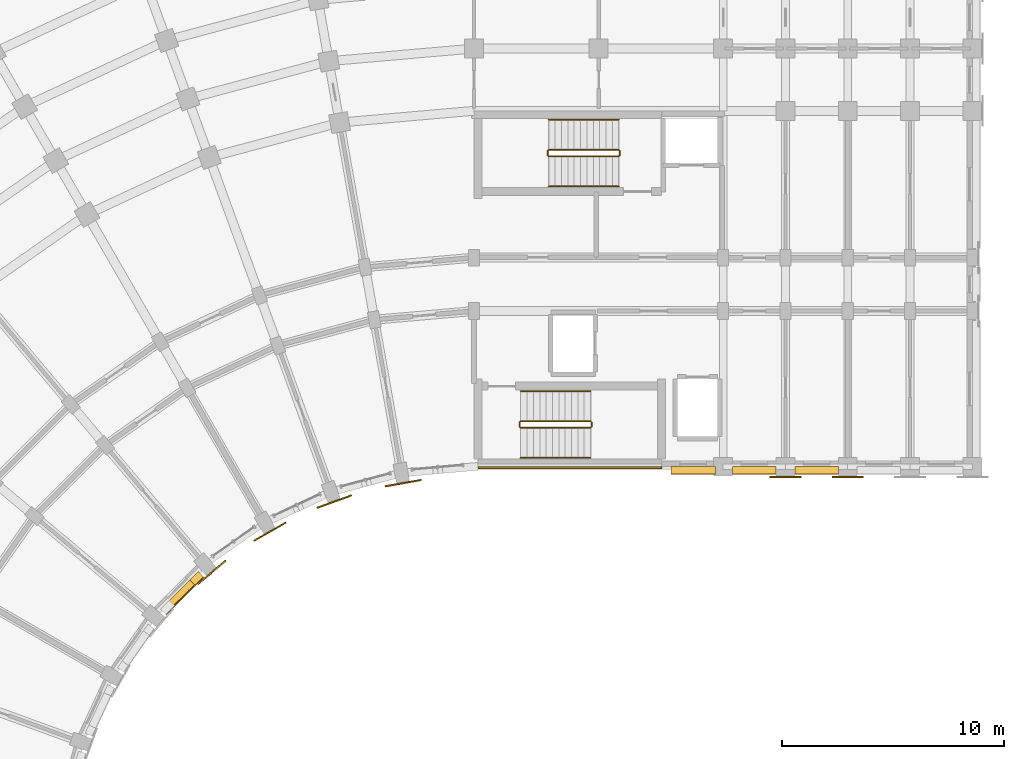
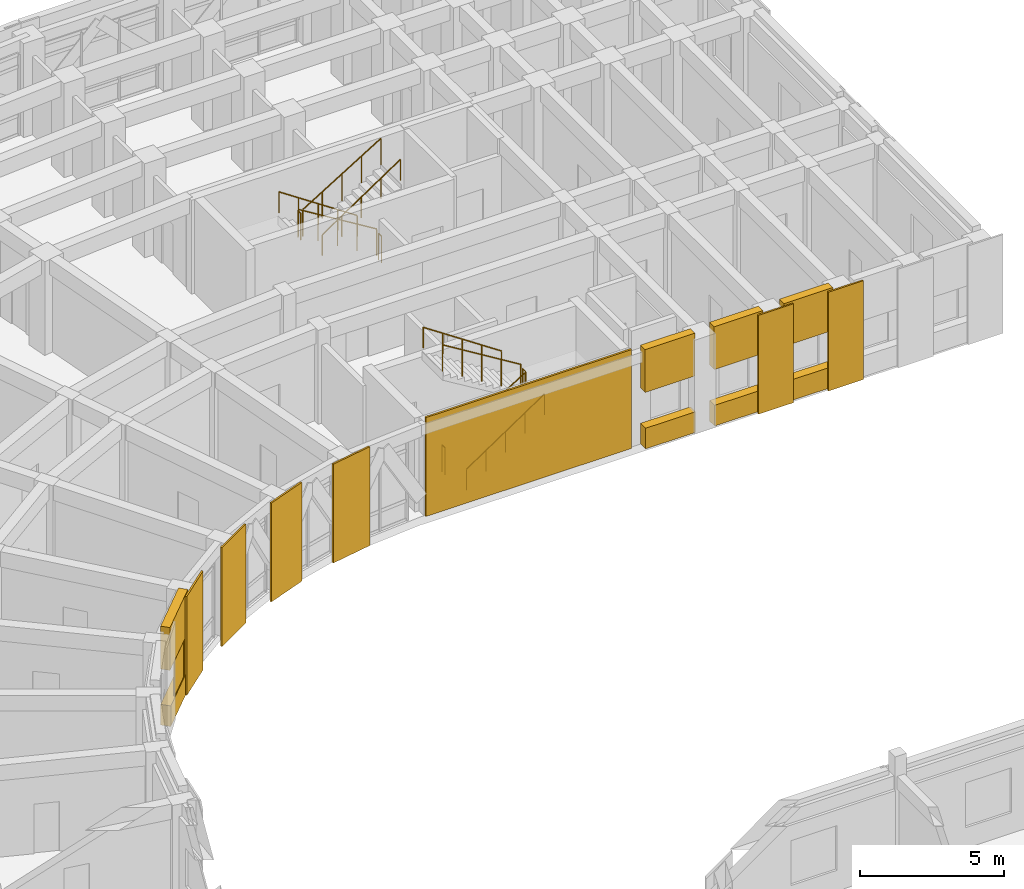
# One storey, part 91 of 97: 16 coverings, 12 railings, 1 shading device.
"""IFC4 building model written with IfcOpenShell, lengths in metres."""

import ifcopenshell
import ifcopenshell.guid

model = None  # the IFC model being written
_history = None  # IfcOwnerHistory: only IFC2X3 demands one
_inside = {}  # id of a spatial element -> (the spatial element, [elements in it])
_under = {}  # id of a project, library or spatial element -> (it, [spatial elements below it])
_declared = {}  # id of a project -> (the project, [libraries it declares])
_typed = {}  # id of a type object -> (the type object, [elements of that type])
_made_of = {}  # id of a material, layer set ... -> (it, [elements and type objects made of it])


def new_model(schema):
    """Start an empty IFC model of exactly this schema.

    Asked for "IFC4X3", IfcOpenShell would pick the latest addendum, in which some entities
    have other attributes; the version numbers below select the first issue.
    IFC2X3 requires an IfcOwnerHistory on every rooted entity: one is made here for all.
    """
    global model, _history
    if schema == "IFC4X3":
        model = ifcopenshell.file(schema_version=(4, 3, 0, 0))
    else:
        model = ifcopenshell.file(schema=schema)
    _inside.clear()
    _under.clear()
    _declared.clear()
    _typed.clear()
    _made_of.clear()
    _history = None
    if model.schema == "IFC2X3":
        org = make("IfcOrganization", Name="unknown")
        user = make(
            "IfcPersonAndOrganization",
            ThePerson=make("IfcPerson", FamilyName="unknown"),
            TheOrganization=org,
        )
        app = make(
            "IfcApplication",
            ApplicationDeveloper=org,
            Version="unknown",
            ApplicationFullName="unknown",
            ApplicationIdentifier="unknown",
        )
        _history = make(
            "IfcOwnerHistory",
            OwningUser=user,
            OwningApplication=app,
            ChangeAction="ADDED",
            CreationDate=0,
        )
    return model


def make(cls, **values):
    """One entity of the class cls with the attributes given. An attribute that is None is left unset."""
    return model.create_entity(
        cls, **{name: value for name, value in values.items() if value is not None}
    )


def rooted(cls, **values):
    """An entity with a GlobalId (a new one), such as an element, a storey or a relation."""
    return make(cls, GlobalId=ifcopenshell.guid.new(), OwnerHistory=_history, **values)


def si_unit(unit_type, name, prefix=None):
    """IfcSIUnit, for example si_unit("LENGTHUNIT", "METRE", prefix="MILLI")."""
    return make("IfcSIUnit", UnitType=unit_type, Prefix=prefix, Name=name)


def assignment(units):
    """IfcUnitAssignment: the units of a project."""
    return None if units is None else make("IfcUnitAssignment", Units=units)


def point(xyz):
    """IfcCartesianPoint."""
    return None if xyz is None else make("IfcCartesianPoint", Coordinates=xyz)


def direction(xyz):
    """IfcDirection."""
    return None if xyz is None else make("IfcDirection", DirectionRatios=xyz)


def frame(location, z_axis=None, x_axis=None):
    """IfcAxis2Placement3D, a coordinate frame: its origin and axes. An axis left out is left unset."""
    return make(
        "IfcAxis2Placement3D",
        Location=point(location),
        Axis=direction(z_axis),
        RefDirection=direction(x_axis),
    )


def frame_2d(location, x_axis=None):
    """IfcAxis2Placement2D, a coordinate frame in the plane: its origin and x axis."""
    return make(
        "IfcAxis2Placement2D", Location=point(location), RefDirection=direction(x_axis)
    )


def origin():
    """The frame at (0, 0, 0) with its axes left unset."""
    return frame((0.0, 0.0, 0.0))


def origin_2d():
    """The frame at (0, 0) in the plane with its x axis left unset."""
    return frame_2d((0.0, 0.0))


def place(relative_to, where):
    """IfcLocalPlacement: puts the frame where relative to a parent placement (None: the world)."""
    return make(
        "IfcLocalPlacement", PlacementRelTo=relative_to, RelativePlacement=where
    )


def context(
    kind, dimensions, precision=None, world=None, true_north=None, identifier=None
):
    """IfcGeometricRepresentationContext, for example the 3D "Model" context."""
    return make(
        "IfcGeometricRepresentationContext",
        ContextIdentifier=identifier,
        ContextType=kind,
        CoordinateSpaceDimension=dimensions,
        Precision=precision,
        WorldCoordinateSystem=world,
        TrueNorth=true_north,
    )


def subcontext(parent, identifier, kind, view, scale=None):
    """IfcGeometricRepresentationSubContext, for example "Body" below "Model"."""
    return make(
        "IfcGeometricRepresentationSubContext",
        ContextIdentifier=identifier,
        ContextType=kind,
        ParentContext=parent,
        TargetScale=scale,
        TargetView=view,
    )


def project(units=None, contexts=None):
    """IfcProject with its units and contexts."""
    return rooted(
        "IfcProject",
        Name="project",
        RepresentationContexts=contexts,
        UnitsInContext=assignment(units),
    )


def spatial(cls, under=None, at=None, **own):
    """A site, building, storey or space (cls), placed at a placement, below another one or the project."""
    s = rooted(cls, ObjectPlacement=at, **own)
    if under is not None:
        _under.setdefault(under.id(), (under, []))[1].append(s)
    return s


def polyline(points):
    """IfcPolyline through the points."""
    return make("IfcPolyline", Points=[point(p) for p in points])


def profile(cls, at=None, kind="AREA", **sizes):
    """A parametric profile (cls). Its sizes go by their IFC names, for example OverallWidth=200.0."""
    return make(cls, ProfileType=kind, Position=at, **sizes)


def rectangle(**sizes):
    """IfcRectangleProfileDef."""
    return profile("IfcRectangleProfileDef", **sizes)


def circle(**sizes):
    """IfcCircleProfileDef."""
    return profile("IfcCircleProfileDef", **sizes)


def outline(outer, holes=None, kind="AREA"):
    """IfcArbitraryClosedProfileDef: a profile drawn as a closed curve; with holes, ...WithVoids."""
    if holes is None:
        return make("IfcArbitraryClosedProfileDef", ProfileType=kind, OuterCurve=outer)
    return make(
        "IfcArbitraryProfileDefWithVoids",
        ProfileType=kind,
        OuterCurve=outer,
        InnerCurves=holes,
    )


def extrude(swept, where, along, depth):
    """IfcExtrudedAreaSolid: the profile swept, set in the frame where, extruded along a direction by depth."""
    return make(
        "IfcExtrudedAreaSolid",
        SweptArea=swept,
        Position=where,
        ExtrudedDirection=direction(along),
        Depth=depth,
    )


def shape(context_of_items, identifier, shape_type, items):
    """IfcShapeRepresentation: the items that make up one representation, for example the "Body"."""
    return make(
        "IfcShapeRepresentation",
        ContextOfItems=context_of_items,
        RepresentationIdentifier=identifier,
        RepresentationType=shape_type,
        Items=items,
    )


def material(Name=None, Category=None):
    """IfcMaterial."""
    return make("IfcMaterial", Name=Name, Category=Category)


def layer(
    of_material, thickness, ventilated=None, Name=None, Category=None, Priority=None
):
    """IfcMaterialLayer: one layer of a wall or slab, of a material (None: an air gap)."""
    return make(
        "IfcMaterialLayer",
        Material=of_material,
        LayerThickness=thickness,
        IsVentilated=ventilated,
        Name=Name,
        Category=Category,
        Priority=Priority,
    )


def layer_set(layers, Name=None):
    """IfcMaterialLayerSet."""
    return make("IfcMaterialLayerSet", MaterialLayers=layers, LayerSetName=Name)


def made_of(thing, what):
    """Note that an element or type object is made of a material, layer set ...; save() writes the relation."""
    if what is not None:
        _made_of.setdefault(what.id(), (what, []))[1].append(thing)
    return thing


def type_object(cls, material=None, **own):
    """A type object (cls), such as IfcWallType, which elements share."""
    return made_of(rooted(cls, **own), material)


def element(
    cls,
    number,
    at=None,
    inside=None,
    cuts=None,
    type_object=None,
    material=None,
    context=None,
    identifier="Body",
    shape_type=None,
    held_by="IfcProductDefinitionShape",
    body=None,
    shapes=None,
    **own,
):
    """One element of the class cls, such as IfcWall. Its Tag is "e" and its number.

    at: its placement. inside: the storey or other place that contains it. cuts: it is an
    opening in that element (IfcRelVoidsElement). A single representation is given by context,
    identifier, shape_type and body (its items); several are given by shapes. held_by: the class
    of the entity that holds the representations. save() writes the other relations.
    """
    e = rooted(cls, Tag="e%d" % number, ObjectPlacement=at, **own)
    if body is not None:
        shapes = [shape(context, identifier, shape_type, body)]
    if shapes is not None:
        e.Representation = make(held_by, Representations=shapes)
    if inside is not None:
        _inside.setdefault(inside.id(), (inside, []))[1].append(e)
    if cuts is not None:
        rooted(
            "IfcRelVoidsElement", RelatingBuildingElement=cuts, RelatedOpeningElement=e
        )
    if type_object is not None:
        _typed.setdefault(type_object.id(), (type_object, []))[1].append(e)
    return made_of(e, material)


def aggregate(whole, parts):
    """IfcRelAggregates: a whole, such as a stair, and the parts it consists of."""
    return rooted("IfcRelAggregates", RelatingObject=whole, RelatedObjects=parts)


def save(model, path):
    """Write the relations noted so far, then the file.

    IfcRelAggregates (storeys below a building ...), IfcRelContainedInSpatialStructure (elements
    in a storey), IfcRelDefinesByType, IfcRelAssociatesMaterial and IfcRelDeclares: one each for
    every whole, place, type object, material and project.
    """
    for whole, parts in _under.values():
        aggregate(whole, parts)
    for where, things in _inside.values():
        rooted(
            "IfcRelContainedInSpatialStructure",
            RelatedElements=things,
            RelatingStructure=where,
        )
    for kind, things in _typed.values():
        rooted("IfcRelDefinesByType", RelatedObjects=things, RelatingType=kind)
    for what, things in _made_of.values():
        rooted("IfcRelAssociatesMaterial", RelatedObjects=things, RelatingMaterial=what)
    for by, libraries in _declared.values():
        rooted("IfcRelDeclares", RelatingContext=by, RelatedDefinitions=libraries)
    model.write(path)


model = new_model("IFC4")

# Units and contexts
model_context = context("Model", 3, precision=1e-05, world=origin(), true_north=direction((0.0, 1.0)))
body_context = subcontext(model_context, "Body", "Model", "MODEL_VIEW")
ifc_project = project(units=[si_unit("LENGTHUNIT", "METRE"), si_unit("AREAUNIT", "SQUARE_METRE"), si_unit("VOLUMEUNIT", "CUBIC_METRE"), si_unit("PLANEANGLEUNIT", "RADIAN"), si_unit("MASSUNIT", "GRAM", prefix="KILO")], contexts=[model_context])

# Site, building, storey
site_placement = place(None, origin())
site = spatial("IfcSite", under=ifc_project, at=site_placement, CompositionType="ELEMENT")
building_placement = place(site_placement, origin())
building = spatial("IfcBuilding", under=site, at=building_placement, Name="Kiranvali Square Residences", CompositionType="ELEMENT")
storey_placement = place(building_placement, frame((0.0, 0.0, 4.5)))
storey = spatial("IfcBuildingStorey", under=building, at=storey_placement, Name="L01", CompositionType="ELEMENT", Elevation=4.5)

# Coverings
ifc_material_1 = material(Name="Honed Porbandar limestone ashlar facade cladding", Category="masonry")
ifc_layer_1 = layer(ifc_material_1, 0.3798828125)
ifc_layer_set_1 = layer_set([ifc_layer_1], Name="Honed Porbandar limestone ashlar facade cladding")
covering_type_1 = type_object("IfcCoveringType", Name="COV-CLAD-JAMB", PredefinedType="CLADDING", material=ifc_layer_set_1)
covering_1_placement = place(storey_placement, frame((0.0, 0.0, 0.8798828125)))
element("IfcCovering", 1, at=covering_1_placement, inside=storey, type_object=covering_type_1, Name="L01 deep limestone window jamb reveal A-L01-GDN-04.L", PredefinedType="CLADDING", context=body_context, shape_type="SweptSolid", body=[
    extrude(outline(polyline([(35.804931640625, 101.89013671875), (35.4169921875, 101.502197265625), (35.656982421875, 101.26220703125), (36.044921875, 101.650146484375), (35.804931640625, 101.89013671875)])), origin(), (0.0, 0.0, 1.0), 1.5),
])
ifc_layer_2 = layer(ifc_material_1, 0.06494140625)
ifc_layer_set_2 = layer_set([ifc_layer_2], Name="Honed Porbandar limestone ashlar facade cladding")
covering_type_2 = type_object("IfcCoveringType", Name="COV-CLAD-PIER", PredefinedType="CLADDING", material=ifc_layer_set_2)
covering_2_placement = place(storey_placement, frame((0.0, 0.0, 0.0048828125)))
element("IfcCovering", 2, at=covering_2_placement, inside=storey, type_object=covering_type_2, Name="Block A L01 garden stair limestone ashlar cladding", PredefinedType="CLADDING", context=body_context, shape_type="SweptSolid", body=[
    extrude(outline(polyline([(48.39990234375, 106.52001953125), (56.64990234375, 106.52001953125), (56.64990234375, 106.597900390625), (48.39990234375, 106.597900390625), (48.39990234375, 106.52001953125)])), origin(), (0.0, 0.0, 1.0), 4.190185546875),
])
ifc_layer_3 = layer(ifc_material_1, 0.050048828125)
ifc_layer_set_3 = layer_set([ifc_layer_3], Name="Honed Porbandar limestone ashlar facade cladding")
covering_type_3 = type_object("IfcCoveringType", Name="COV-CLAD-PIER-IN", PredefinedType="CLADDING", material=ifc_layer_set_3)
covering_3_placement = place(storey_placement, frame((0.0, 0.0, 0.0048828125)))
element("IfcCovering", 3, at=covering_3_placement, inside=storey, type_object=covering_type_3, Name="L01 Classical garden courtyard pilaster CLAD-PRIN-A-L01-A01", PredefinedType="CLADDING", context=body_context, shape_type="SweptSolid", body=[
    extrude(outline(polyline([(44.20849609375, 105.685546875), (45.83349609375, 105.97216796875), (45.82177734375, 106.03857421875), (44.19677734375, 105.752197265625), (44.20849609375, 105.685546875)])), origin(), (0.0, 0.0, 1.0), 4.190185546875),
])
covering_4_placement = place(storey_placement, frame((0.0, 0.0, 0.0048828125)))
element("IfcCovering", 4, at=covering_4_placement, inside=storey, type_object=covering_type_3, Name="L01 Classical garden courtyard pilaster CLAD-PRIN-A-L01-A02", PredefinedType="CLADDING", context=body_context, shape_type="SweptSolid", body=[
    extrude(outline(polyline([(41.163330078125, 104.720703125), (42.7138671875, 105.28515625), (42.69091796875, 105.3486328125), (41.140380859375, 104.7841796875), (41.163330078125, 104.720703125)])), origin(), (0.0, 0.0, 1.0), 4.190185546875),
])
covering_5_placement = place(storey_placement, frame((0.0, 0.0, 0.0048828125)))
element("IfcCovering", 5, at=covering_5_placement, inside=storey, type_object=covering_type_3, Name="L01 Classical garden courtyard pilaster CLAD-PRIN-A-L01-A03", PredefinedType="CLADDING", context=body_context, shape_type="SweptSolid", body=[
    extrude(outline(polyline([(38.33203125, 103.241943359375), (39.760986328125, 104.06689453125), (39.727294921875, 104.125244140625), (38.29833984375, 103.30029296875), (38.33203125, 103.241943359375)])), origin(), (0.0, 0.0, 1.0), 4.190185546875),
])
covering_6_placement = place(storey_placement, frame((0.0, 0.0, 0.0048828125)))
element("IfcCovering", 6, at=covering_6_placement, inside=storey, type_object=covering_type_3, Name="L01 Classical garden courtyard pilaster CLAD-PRIN-A-L01-A04", PredefinedType="CLADDING", context=body_context, shape_type="SweptSolid", body=[
    extrude(outline(polyline([(35.800537109375, 101.293701171875), (37.064453125, 102.354248046875), (37.02099609375, 102.406005859375), (35.757080078125, 101.345458984375), (35.800537109375, 101.293701171875)])), origin(), (0.0, 0.0, 1.0), 4.190185546875),
])
covering_7_placement = place(storey_placement, frame((0.0, 0.0, 0.0048828125)))
element("IfcCovering", 7, at=covering_7_placement, inside=storey, type_object=covering_type_3, Name="L01 Classical limestone pilaster casing CLAD-PRA1I-A-L01-U140", PredefinedType="CLADDING", context=body_context, shape_type="SweptSolid", body=[
    extrude(outline(polyline([(61.4951171875, 106.10693359375), (62.905029296875, 106.10693359375), (62.905029296875, 106.174560546875), (61.4951171875, 106.174560546875), (61.4951171875, 106.10693359375)])), origin(), (0.0, 0.0, 1.0), 4.190185546875),
])
covering_8_placement = place(storey_placement, frame((0.0, 0.0, 0.0048828125)))
element("IfcCovering", 8, at=covering_8_placement, inside=storey, type_object=covering_type_3, Name="L01 Classical limestone pilaster casing CLAD-PRA1I-A-L01-U167", PredefinedType="CLADDING", context=body_context, shape_type="SweptSolid", body=[
    extrude(outline(polyline([(64.294921875, 106.10693359375), (65.705078125, 106.10693359375), (65.705078125, 106.174560546875), (64.294921875, 106.174560546875), (64.294921875, 106.10693359375)])), origin(), (0.0, 0.0, 1.0), 4.190185546875),
])
ifc_layer_4 = layer(ifc_material_1, 0.360107421875)
ifc_layer_set_4 = layer_set([ifc_layer_4], Name="Honed Porbandar limestone ashlar facade cladding")
covering_type_4 = type_object("IfcCoveringType", Name="COV-CLAD-WALL", PredefinedType="CLADDING", material=ifc_layer_set_4)
covering_9_placement = place(storey_placement, frame((0.0, 0.0, 2.3798828125)))
element("IfcCovering", 9, at=covering_9_placement, inside=storey, type_object=covering_type_4, Name="L01 light limestone spandrel lintel A-L01-GDN-04", PredefinedType="CLADDING", context=body_context, shape_type="SweptSolid", body=[
    extrude(outline(polyline([(35.804931640625, 101.89013671875), (34.10986328125, 100.195068359375), (34.349853515625, 99.955078125), (36.044921875, 101.650146484375), (35.804931640625, 101.89013671875)])), origin(), (0.0, 0.0, 1.0), 1.815185546875),
])
covering_10_placement = place(storey_placement, frame((0.0, 0.0, 2.3798828125)))
element("IfcCovering", 10, at=covering_10_placement, inside=storey, type_object=covering_type_4, Name="L01 light limestone spandrel lintel A-L01-A1IN-0", PredefinedType="CLADDING", context=body_context, shape_type="SweptSolid", body=[
    extrude(outline(polyline([(57.050048828125, 106.280029296875), (59.050048828125, 106.280029296875), (59.050048828125, 106.599609375), (57.050048828125, 106.599609375), (57.050048828125, 106.280029296875)])), origin(), (0.0, 0.0, 1.0), 1.815185546875),
])
covering_11_placement = place(storey_placement, frame((0.0, 0.0, 0.0048828125)))
element("IfcCovering", 11, at=covering_11_placement, inside=storey, type_object=covering_type_4, Name="L01 limestone window sill apron A-L01-A1IN-0", PredefinedType="CLADDING", context=body_context, shape_type="SweptSolid", body=[
    extrude(outline(polyline([(57.050048828125, 106.25), (59.050048828125, 106.25), (59.050048828125, 106.599609375), (57.050048828125, 106.599609375), (57.050048828125, 106.25)])), origin(), (0.0, 0.0, 1.0), 0.875),
])
covering_12_placement = place(storey_placement, frame((0.0, 0.0, 2.3798828125)))
element("IfcCovering", 12, at=covering_12_placement, inside=storey, type_object=covering_type_4, Name="L01 light limestone spandrel lintel A-L01-A1I-0", PredefinedType="CLADDING", context=body_context, shape_type="SweptSolid", body=[
    extrude(outline(polyline([(59.820068359375, 106.280029296875), (61.780029296875, 106.280029296875), (61.780029296875, 106.599609375), (59.820068359375, 106.599609375), (59.820068359375, 106.280029296875)])), origin(), (0.0, 0.0, 1.0), 1.815185546875),
])
covering_13_placement = place(storey_placement, frame((0.0, 0.0, 0.0048828125)))
element("IfcCovering", 13, at=covering_13_placement, inside=storey, type_object=covering_type_4, Name="L01 limestone window sill apron A-L01-A1I-0", PredefinedType="CLADDING", context=body_context, shape_type="SweptSolid", body=[
    extrude(outline(polyline([(59.820068359375, 106.25), (61.780029296875, 106.25), (61.780029296875, 106.599609375), (59.820068359375, 106.599609375), (59.820068359375, 106.25)])), origin(), (0.0, 0.0, 1.0), 0.875),
])
covering_14_placement = place(storey_placement, frame((0.0, 0.0, 2.3798828125)))
element("IfcCovering", 14, at=covering_14_placement, inside=storey, type_object=covering_type_4, Name="L01 light limestone spandrel lintel A-L01-A1I-1", PredefinedType="CLADDING", context=body_context, shape_type="SweptSolid", body=[
    extrude(outline(polyline([(62.6201171875, 106.280029296875), (64.580078125, 106.280029296875), (64.580078125, 106.599609375), (62.6201171875, 106.599609375), (62.6201171875, 106.280029296875)])), origin(), (0.0, 0.0, 1.0), 1.815185546875),
])
covering_15_placement = place(storey_placement, frame((0.0, 0.0, 0.0048828125)))
element("IfcCovering", 15, at=covering_15_placement, inside=storey, type_object=covering_type_4, Name="L01 limestone window sill apron A-L01-A1I-1", PredefinedType="CLADDING", context=body_context, shape_type="SweptSolid", body=[
    extrude(outline(polyline([(62.6201171875, 106.25), (64.580078125, 106.25), (64.580078125, 106.599609375), (62.6201171875, 106.599609375), (62.6201171875, 106.25)])), origin(), (0.0, 0.0, 1.0), 0.875),
])
ifc_layer_5 = layer(ifc_material_1, 0.2900390625)
ifc_layer_set_5 = layer_set([ifc_layer_5], Name="Honed Porbandar limestone ashlar facade cladding")
covering_type_5 = type_object("IfcCoveringType", Name="COV-CLAD-WALL-IN", PredefinedType="CLADDING", material=ifc_layer_set_5)
covering_16_placement = place(storey_placement, frame((0.0, 0.0, 0.0048828125)))
element("IfcCovering", 16, at=covering_16_placement, inside=storey, type_object=covering_type_5, Name="L01 limestone window sill apron A-L01-GDN-04", PredefinedType="CLADDING", context=body_context, shape_type="SweptSolid", body=[
    extrude(outline(polyline([(35.804931640625, 101.89013671875), (34.10986328125, 100.195068359375), (34.37109375, 99.933837890625), (36.066162109375, 101.62890625), (35.804931640625, 101.89013671875)])), origin(), (0.0, 0.0, 1.0), 0.875),
])

# Railings
ifc_material_2 = material(Name="Brushed stainless steel tubular handrail", Category="steel")
railing_type_1 = type_object("IfcRailingType", Name="RL-HANDRAIL-900", PredefinedType="HANDRAIL", material=ifc_material_2)
railing_1_placement = place(storey_placement, frame((54.699951171875, 122.199951171875, 0.175048828125)))
element("IfcRailing", 17, at=railing_1_placement, inside=storey, type_object=railing_type_1, Name="L01 ST-A1 stair handrail 1", PredefinedType="HANDRAIL", context=body_context, shape_type="SweptSolid", body=[
    extrude(circle(Radius=0.02392578125, at=origin_2d()), frame((0.0, 0.0, 0.8759765625), z_axis=(-0.830843872262, 0.0, 0.556505579419), x_axis=(0.0, -1.0, 0.0)), (0.0, 0.0, 1.0), 3.773193359375),
    extrude(circle(Radius=0.02099609375, at=origin_2d()), origin(), (0.0, 0.0, 1.0), 0.851806640625),
    extrude(circle(Radius=0.02099609375, at=origin_2d()), frame((-0.78369140625, 0.0, 0.52490234375)), (0.0, 0.0, 1.0), 0.851806640625),
    extrude(circle(Radius=0.02099609375, at=origin_2d()), frame((-1.5673828125, 0.0, 1.0498046875)), (0.0, 0.0, 1.0), 0.851806640625),
    extrude(circle(Radius=0.02099609375, at=origin_2d()), frame((-2.351318359375, 0.0, 1.574951171875)), (0.0, 0.0, 1.0), 0.851806640625),
    extrude(circle(Radius=0.02099609375, at=origin_2d()), frame((-3.135009765625, 0.0, 2.099853515625)), (0.0, 0.0, 1.0), 0.851806640625),
])
railing_2_placement = place(storey_placement, frame((51.56494140625, 119.199951171875, 2.27490234375)))
element("IfcRailing", 18, at=railing_2_placement, inside=storey, type_object=railing_type_1, Name="L01 ST-A1 stair handrail 2", PredefinedType="HANDRAIL", context=body_context, shape_type="SweptSolid", body=[
    extrude(circle(Radius=0.02392578125, at=origin_2d()), frame((0.0, 0.0, 0.8759765625), z_axis=(0.830813955726, 0.0, 0.556550241192), x_axis=(0.0, 1.0, 0.0)), (0.0, 0.0, 1.0), 3.7734375),
    extrude(circle(Radius=0.02099609375, at=origin_2d()), origin(), (0.0, 0.0, 1.0), 0.851806640625),
    extrude(circle(Radius=0.02099609375, at=origin_2d()), frame((0.78369140625, 0.0, 0.52490234375)), (0.0, 0.0, 1.0), 0.851806640625),
    extrude(circle(Radius=0.02099609375, at=origin_2d()), frame((1.5673828125, 0.0, 1.050048828125)), (0.0, 0.0, 1.0), 0.851806640625),
    extrude(circle(Radius=0.02099609375, at=origin_2d()), frame((2.351318359375, 0.0, 1.5751953125)), (0.0, 0.0, 1.0), 0.851806640625),
    extrude(circle(Radius=0.02099609375, at=origin_2d()), frame((3.135009765625, 0.0, 2.10009765625)), (0.0, 0.0, 1.0), 0.851806640625),
])
railing_3_placement = place(storey_placement, frame((50.300048828125, 107.0, 0.175048828125)))
element("IfcRailing", 19, at=railing_3_placement, inside=storey, type_object=railing_type_1, Name="L01 ST-A2 stair handrail 1", PredefinedType="HANDRAIL", context=body_context, shape_type="SweptSolid", body=[
    extrude(circle(Radius=0.02392578125, at=origin_2d()), frame((0.0, 0.0, 0.8759765625), z_axis=(0.830843872262, 0.0, 0.556505579419), x_axis=(0.0, 1.0, 0.0)), (0.0, 0.0, 1.0), 3.773193359375),
    extrude(circle(Radius=0.02099609375, at=origin_2d()), origin(), (0.0, 0.0, 1.0), 0.851806640625),
    extrude(circle(Radius=0.02099609375, at=origin_2d()), frame((0.78369140625, 0.0, 0.52490234375)), (0.0, 0.0, 1.0), 0.851806640625),
    extrude(circle(Radius=0.02099609375, at=origin_2d()), frame((1.5673828125, 0.0, 1.0498046875)), (0.0, 0.0, 1.0), 0.851806640625),
    extrude(circle(Radius=0.02099609375, at=origin_2d()), frame((2.351318359375, 0.0, 1.574951171875)), (0.0, 0.0, 1.0), 0.851806640625),
    extrude(circle(Radius=0.02099609375, at=origin_2d()), frame((3.135009765625, 0.0, 2.099853515625)), (0.0, 0.0, 1.0), 0.851806640625),
])
railing_4_placement = place(storey_placement, frame((53.43505859375, 110.0, 2.27490234375)))
element("IfcRailing", 20, at=railing_4_placement, inside=storey, type_object=railing_type_1, Name="L01 ST-A2 stair handrail 2", PredefinedType="HANDRAIL", context=body_context, shape_type="SweptSolid", body=[
    extrude(circle(Radius=0.02392578125, at=origin_2d()), frame((0.0, 0.0, 0.8759765625), z_axis=(-0.830813955726, 0.0, 0.556550241192), x_axis=(0.0, -1.0, 0.0)), (0.0, 0.0, 1.0), 3.7734375),
    extrude(circle(Radius=0.02099609375, at=origin_2d()), origin(), (0.0, 0.0, 1.0), 0.851806640625),
    extrude(circle(Radius=0.02099609375, at=origin_2d()), frame((-0.78369140625, 0.0, 0.52490234375)), (0.0, 0.0, 1.0), 0.851806640625),
    extrude(circle(Radius=0.02099609375, at=origin_2d()), frame((-1.5673828125, 0.0, 1.050048828125)), (0.0, 0.0, 1.0), 0.851806640625),
    extrude(circle(Radius=0.02099609375, at=origin_2d()), frame((-2.351318359375, 0.0, 1.5751953125)), (0.0, 0.0, 1.0), 0.851806640625),
    extrude(circle(Radius=0.02099609375, at=origin_2d()), frame((-3.135009765625, 0.0, 2.10009765625)), (0.0, 0.0, 1.0), 0.851806640625),
])
ifc_material_3 = material(Name="Powder-coated architectural bronze balustrade", Category="steel")
railing_type_2 = type_object("IfcRailingType", Name="RL-ST-GUARD-1200", PredefinedType="GUARDRAIL", material=ifc_material_3)
railing_5_placement = place(storey_placement, frame((54.699951171875, 120.85009765625, 0.175048828125)))
element("IfcRailing", 21, at=railing_5_placement, inside=storey, type_object=railing_type_2, Name="L01 ST-A1 stair guard 1", PredefinedType="GUARDRAIL", context=body_context, shape_type="SweptSolid", body=[
    extrude(circle(Radius=0.02392578125, at=origin_2d()), frame((0.0, 0.0, 1.1259765625), z_axis=(-0.852166034122, 0.0, 0.523271488128), x_axis=(0.0, -1.0, 0.0)), (0.0, 0.0, 1.0), 3.678955078125),
    extrude(circle(Radius=0.02099609375, at=origin_2d()), origin(), (0.0, 0.0, 1.0), 1.101806640625),
    extrude(circle(Radius=0.02099609375, at=origin_2d()), frame((-0.78369140625, 0.0, 0.481201171875)), (0.0, 0.0, 1.0), 1.101806640625),
    extrude(circle(Radius=0.02099609375, at=origin_2d()), frame((-1.5673828125, 0.0, 0.96240234375)), (0.0, 0.0, 1.0), 1.101806640625),
    extrude(circle(Radius=0.02099609375, at=origin_2d()), frame((-2.351318359375, 0.0, 1.44384765625)), (0.0, 0.0, 1.0), 1.101806640625),
    extrude(circle(Radius=0.02099609375, at=origin_2d()), frame((-3.135009765625, 0.0, 1.925048828125)), (0.0, 0.0, 1.0), 1.101806640625),
])
railing_6_placement = place(storey_placement, frame((51.514892578125, 120.800048828125, 2.10009765625)))
element("IfcRailing", 22, at=railing_6_placement, inside=storey, type_object=railing_type_2, Name="L01 ST-A1 stair guard 2", PredefinedType="GUARDRAIL", context=body_context, shape_type="SweptSolid", body=[
    extrude(circle(Radius=0.02392578125, at=origin_2d()), frame((0.0, 0.0, 1.1259765625), z_axis=(0.0, -1.0, 0.0), x_axis=(1.0, 0.0, 0.0)), (0.0, 0.0, 1.0), 0.199951171875),
    extrude(circle(Radius=0.02099609375, at=origin_2d()), origin(), (0.0, 0.0, 1.0), 1.101806640625),
    extrude(circle(Radius=0.02099609375, at=origin_2d()), frame((0.0, -0.199951171875, 0.0)), (0.0, 0.0, 1.0), 1.101806640625),
])
railing_7_placement = place(storey_placement, frame((51.56494140625, 120.550048828125, 2.27490234375)))
element("IfcRailing", 23, at=railing_7_placement, inside=storey, type_object=railing_type_2, Name="L01 ST-A1 stair guard 3", PredefinedType="GUARDRAIL", context=body_context, shape_type="SweptSolid", body=[
    extrude(circle(Radius=0.02392578125, at=origin_2d()), frame((0.0, 0.0, 1.1259765625), z_axis=(0.852166034122, 0.0, 0.523271488128), x_axis=(0.0, 1.0, 0.0)), (0.0, 0.0, 1.0), 3.678955078125),
    extrude(circle(Radius=0.02099609375, at=origin_2d()), origin(), (0.0, 0.0, 1.0), 1.101806640625),
    extrude(circle(Radius=0.02099609375, at=origin_2d()), frame((0.78369140625, 0.0, 0.481201171875)), (0.0, 0.0, 1.0), 1.101806640625),
    extrude(circle(Radius=0.02099609375, at=origin_2d()), frame((1.5673828125, 0.0, 0.96240234375)), (0.0, 0.0, 1.0), 1.101806640625),
    extrude(circle(Radius=0.02099609375, at=origin_2d()), frame((2.351318359375, 0.0, 1.44384765625)), (0.0, 0.0, 1.0), 1.101806640625),
    extrude(circle(Radius=0.02099609375, at=origin_2d()), frame((3.135009765625, 0.0, 1.925048828125)), (0.0, 0.0, 1.0), 1.101806640625),
])
railing_8_placement = place(storey_placement, frame((54.75, 120.800048828125, 0.0)))
element("IfcRailing", 24, at=railing_8_placement, inside=storey, type_object=railing_type_2, Name="L01 ST-A1 stair guard 4", PredefinedType="GUARDRAIL", context=body_context, shape_type="SweptSolid", body=[
    extrude(circle(Radius=0.02392578125, at=origin_2d()), frame((0.0, 0.0, 1.1259765625), z_axis=(0.0, -1.0, 0.0), x_axis=(1.0, 0.0, 0.0)), (0.0, 0.0, 1.0), 0.199951171875),
    extrude(circle(Radius=0.02099609375, at=origin_2d()), origin(), (0.0, 0.0, 1.0), 1.101806640625),
    extrude(circle(Radius=0.02099609375, at=origin_2d()), frame((0.0, -0.199951171875, 0.0)), (0.0, 0.0, 1.0), 1.101806640625),
])
railing_9_placement = place(storey_placement, frame((50.300048828125, 108.35009765625, 0.175048828125)))
element("IfcRailing", 25, at=railing_9_placement, inside=storey, type_object=railing_type_2, Name="L01 ST-A2 stair guard 1", PredefinedType="GUARDRAIL", context=body_context, shape_type="SweptSolid", body=[
    extrude(circle(Radius=0.02392578125, at=origin_2d()), frame((0.0, 0.0, 1.1259765625), z_axis=(0.852166034122, 0.0, 0.523271488128), x_axis=(0.0, 1.0, 0.0)), (0.0, 0.0, 1.0), 3.678955078125),
    extrude(circle(Radius=0.02099609375, at=origin_2d()), origin(), (0.0, 0.0, 1.0), 1.101806640625),
    extrude(circle(Radius=0.02099609375, at=origin_2d()), frame((0.78369140625, 0.0, 0.481201171875)), (0.0, 0.0, 1.0), 1.101806640625),
    extrude(circle(Radius=0.02099609375, at=origin_2d()), frame((1.5673828125, 0.0, 0.96240234375)), (0.0, 0.0, 1.0), 1.101806640625),
    extrude(circle(Radius=0.02099609375, at=origin_2d()), frame((2.351318359375, 0.0, 1.44384765625)), (0.0, 0.0, 1.0), 1.101806640625),
    extrude(circle(Radius=0.02099609375, at=origin_2d()), frame((3.135009765625, 0.0, 1.925048828125)), (0.0, 0.0, 1.0), 1.101806640625),
])
railing_10_placement = place(storey_placement, frame((53.485107421875, 108.39990234375, 2.10009765625)))
element("IfcRailing", 26, at=railing_10_placement, inside=storey, type_object=railing_type_2, Name="L01 ST-A2 stair guard 2", PredefinedType="GUARDRAIL", context=body_context, shape_type="SweptSolid", body=[
    extrude(circle(Radius=0.02392578125, at=origin_2d()), frame((0.0, 0.0, 1.1259765625), z_axis=(0.0, 1.0, 0.0), x_axis=(-1.0, 0.0, 0.0)), (0.0, 0.0, 1.0), 0.2001953125),
    extrude(circle(Radius=0.02099609375, at=origin_2d()), origin(), (0.0, 0.0, 1.0), 1.101806640625),
    extrude(circle(Radius=0.02099609375, at=origin_2d()), frame((0.0, 0.2001953125, 0.0)), (0.0, 0.0, 1.0), 1.101806640625),
])
railing_11_placement = place(storey_placement, frame((53.43505859375, 108.64990234375, 2.27490234375)))
element("IfcRailing", 27, at=railing_11_placement, inside=storey, type_object=railing_type_2, Name="L01 ST-A2 stair guard 3", PredefinedType="GUARDRAIL", context=body_context, shape_type="SweptSolid", body=[
    extrude(circle(Radius=0.02392578125, at=origin_2d()), frame((0.0, 0.0, 1.1259765625), z_axis=(-0.852166034122, 0.0, 0.523271488128), x_axis=(0.0, -1.0, 0.0)), (0.0, 0.0, 1.0), 3.678955078125),
    extrude(circle(Radius=0.02099609375, at=origin_2d()), origin(), (0.0, 0.0, 1.0), 1.101806640625),
    extrude(circle(Radius=0.02099609375, at=origin_2d()), frame((-0.78369140625, 0.0, 0.481201171875)), (0.0, 0.0, 1.0), 1.101806640625),
    extrude(circle(Radius=0.02099609375, at=origin_2d()), frame((-1.5673828125, 0.0, 0.96240234375)), (0.0, 0.0, 1.0), 1.101806640625),
    extrude(circle(Radius=0.02099609375, at=origin_2d()), frame((-2.351318359375, 0.0, 1.44384765625)), (0.0, 0.0, 1.0), 1.101806640625),
    extrude(circle(Radius=0.02099609375, at=origin_2d()), frame((-3.135009765625, 0.0, 1.925048828125)), (0.0, 0.0, 1.0), 1.101806640625),
])
railing_12_placement = place(storey_placement, frame((50.25, 108.39990234375, 0.0)))
element("IfcRailing", 28, at=railing_12_placement, inside=storey, type_object=railing_type_2, Name="L01 ST-A2 stair guard 4", PredefinedType="GUARDRAIL", context=body_context, shape_type="SweptSolid", body=[
    extrude(circle(Radius=0.02392578125, at=origin_2d()), frame((0.0, 0.0, 1.1259765625), z_axis=(0.0, 1.0, 0.0), x_axis=(-1.0, 0.0, 0.0)), (0.0, 0.0, 1.0), 0.2001953125),
    extrude(circle(Radius=0.02099609375, at=origin_2d()), origin(), (0.0, 0.0, 1.0), 1.101806640625),
    extrude(circle(Radius=0.02099609375, at=origin_2d()), frame((0.0, 0.2001953125, 0.0)), (0.0, 0.0, 1.0), 1.101806640625),
])

# Shading device
ifc_material_4 = material(Name="Pierced buff sandstone architectural mashrabiya solar screen", Category="masonry")
shading_device_type = type_object("IfcShadingDeviceType", Name="SHD-JALI-1600", PredefinedType="JALOUSIE", material=ifc_material_4)
shading_device_placement = place(storey_placement, frame((35.183349609375, 100.816650390625, 0.8798828125), z_axis=(0.0, 0.0, 1.0), x_axis=(-0.707106781187, -0.707106781187, 0.0)))
element("IfcShadingDevice", 29, at=shading_device_placement, inside=storey, type_object=shading_device_type, Name="L01 carved stone Mashrabiya screen A-L01-GDN-04", PredefinedType="JALOUSIE", context=body_context, shape_type="SweptSolid", body=[
    extrude(rectangle(XDim=1.199951171875, YDim=0.044921875, at=origin_2d()), origin(), (0.0, 0.0, 1.0), 1.5),
])

save(model, "model.ifc")
